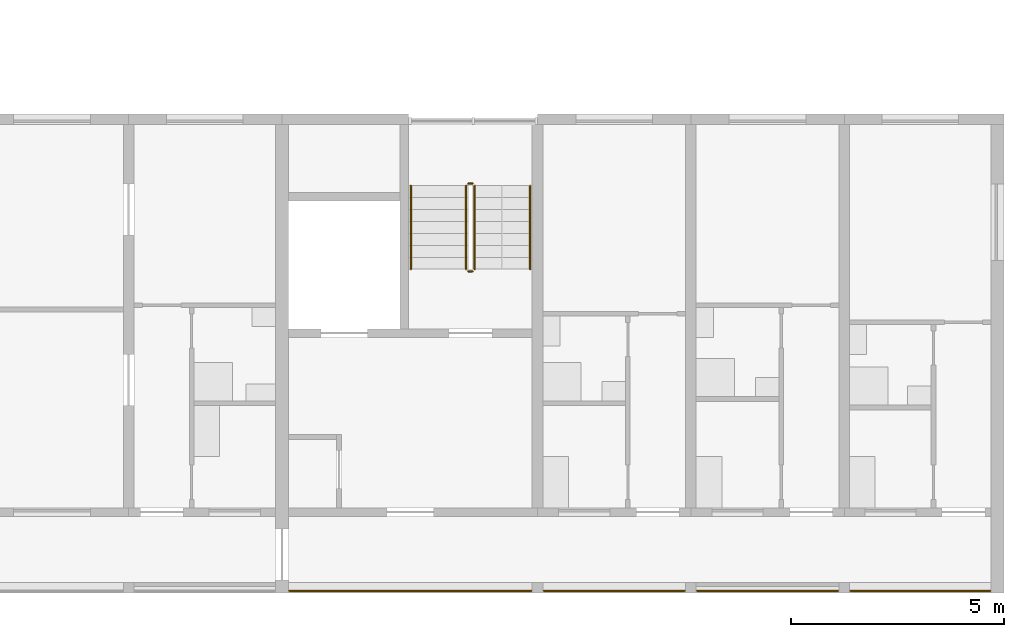
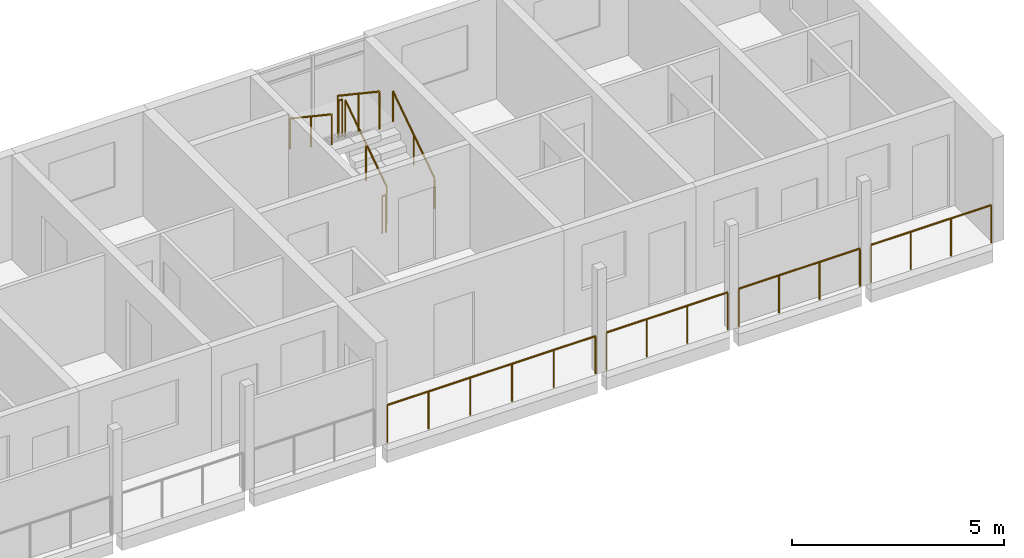
# One storey, part 92 of 98: 10 railings.
"""IFC4 building model written with IfcOpenShell, lengths in metres."""

from ifc_helpers import new_model, si_unit, direction, frame, origin, origin_2d, place, context, subcontext, project, spatial, circle, extrude, material, type_object, element, save


model = new_model("IFC4")

# Units and contexts
model_context = context("Model", 3, precision=1e-05, world=origin(), true_north=direction((0.0, 1.0)))
body_context = subcontext(model_context, "Body", "Model", "MODEL_VIEW")
ifc_project = project(units=[si_unit("LENGTHUNIT", "METRE"), si_unit("AREAUNIT", "SQUARE_METRE"), si_unit("VOLUMEUNIT", "CUBIC_METRE"), si_unit("PLANEANGLEUNIT", "RADIAN"), si_unit("MASSUNIT", "GRAM", prefix="KILO")], contexts=[model_context])

# Site, building, storey
site_placement = place(None, origin())
site = spatial("IfcSite", under=ifc_project, at=site_placement, CompositionType="ELEMENT")
building_placement = place(site_placement, origin())
building = spatial("IfcBuilding", under=site, at=building_placement, Name="Ridgestep Commons", CompositionType="ELEMENT")
storey_placement = place(building_placement, frame((0.0, 0.0, 12.0)))
storey = spatial("IfcBuildingStorey", under=building, at=storey_placement, Name="L04", CompositionType="ELEMENT", Elevation=12.0)

# Railings
ifc_material_1 = material(Name="Structural steel S355JR", Category="steel")
railing_type_1 = type_object("IfcRailingType", Name="Guard 1100", PredefinedType="GUARDRAIL", material=ifc_material_1)
railing_1_placement = place(storey_placement, frame((230.970947265625, 11.800048828125, 0.0)))
element("IfcRailing", 1, at=railing_1_placement, inside=storey, type_object=railing_type_1, Name="Gallery guard D 04.21", PredefinedType="GUARDRAIL", context=body_context, shape_type="SweptSolid", body=[
    extrude(circle(Radius=0.02392578125, at=origin_2d()), frame((0.0, 0.0, 1.076171875), z_axis=(1.0, 0.0, 0.0), x_axis=(0.0, 1.0, 0.0)), (0.0, 0.0, 1.0), 5.68310546875),
    extrude(circle(Radius=0.02099609375, at=origin_2d()), origin(), (0.0, 0.0, 1.0), 1.052001953125),
    extrude(circle(Radius=0.02099609375, at=origin_2d()), frame((1.13671875, 0.0, 0.0)), (0.0, 0.0, 1.0), 1.052001953125),
    extrude(circle(Radius=0.02099609375, at=origin_2d()), frame((2.273193359375, 0.0, 0.0)), (0.0, 0.0, 1.0), 1.052001953125),
    extrude(circle(Radius=0.02099609375, at=origin_2d()), frame((3.409912109375, 0.0, 0.0)), (0.0, 0.0, 1.0), 1.052001953125),
    extrude(circle(Radius=0.02099609375, at=origin_2d()), frame((4.54638671875, 0.0, 0.0)), (0.0, 0.0, 1.0), 1.052001953125),
    extrude(circle(Radius=0.02099609375, at=origin_2d()), frame((5.68310546875, 0.0, 0.0)), (0.0, 0.0, 1.0), 1.052001953125),
])
railing_2_placement = place(storey_placement, frame((236.946044921875, 11.800048828125, 0.0)))
element("IfcRailing", 2, at=railing_2_placement, inside=storey, type_object=railing_type_1, Name="Gallery guard D 04.22", PredefinedType="GUARDRAIL", context=body_context, shape_type="SweptSolid", body=[
    extrude(circle(Radius=0.02392578125, at=origin_2d()), frame((0.0, 0.0, 1.076171875), z_axis=(1.0, 0.0, 0.0), x_axis=(0.0, 1.0, 0.0)), (0.0, 0.0, 1.0), 3.307861328125),
    extrude(circle(Radius=0.02099609375, at=origin_2d()), origin(), (0.0, 0.0, 1.0), 1.052001953125),
    extrude(circle(Radius=0.02099609375, at=origin_2d()), frame((1.1025390625, 0.0, 0.0)), (0.0, 0.0, 1.0), 1.052001953125),
    extrude(circle(Radius=0.02099609375, at=origin_2d()), frame((2.205322265625, 0.0, 0.0)), (0.0, 0.0, 1.0), 1.052001953125),
    extrude(circle(Radius=0.02099609375, at=origin_2d()), frame((3.307861328125, 0.0, 0.0)), (0.0, 0.0, 1.0), 1.052001953125),
])
railing_3_placement = place(storey_placement, frame((240.5458984375, 11.800048828125, 0.0)))
element("IfcRailing", 3, at=railing_3_placement, inside=storey, type_object=railing_type_1, Name="Gallery guard D 04.23", PredefinedType="GUARDRAIL", context=body_context, shape_type="SweptSolid", body=[
    extrude(circle(Radius=0.02392578125, at=origin_2d()), frame((0.0, 0.0, 1.076171875), z_axis=(1.0, 0.0, 0.0), x_axis=(0.0, 1.0, 0.0)), (0.0, 0.0, 1.0), 3.30810546875),
    extrude(circle(Radius=0.02099609375, at=origin_2d()), origin(), (0.0, 0.0, 1.0), 1.052001953125),
    extrude(circle(Radius=0.02099609375, at=origin_2d()), frame((1.102783203125, 0.0, 0.0)), (0.0, 0.0, 1.0), 1.052001953125),
    extrude(circle(Radius=0.02099609375, at=origin_2d()), frame((2.205322265625, 0.0, 0.0)), (0.0, 0.0, 1.0), 1.052001953125),
    extrude(circle(Radius=0.02099609375, at=origin_2d()), frame((3.30810546875, 0.0, 0.0)), (0.0, 0.0, 1.0), 1.052001953125),
])
railing_4_placement = place(storey_placement, frame((244.14599609375, 11.800048828125, 0.0)))
element("IfcRailing", 4, at=railing_4_placement, inside=storey, type_object=railing_type_1, Name="Gallery guard D 04.24", PredefinedType="GUARDRAIL", context=body_context, shape_type="SweptSolid", body=[
    extrude(circle(Radius=0.02392578125, at=origin_2d()), frame((0.0, 0.0, 1.076171875), z_axis=(1.0, 0.0, 0.0), x_axis=(0.0, 1.0, 0.0)), (0.0, 0.0, 1.0), 3.282958984375),
    extrude(circle(Radius=0.02099609375, at=origin_2d()), origin(), (0.0, 0.0, 1.0), 1.052001953125),
    extrude(circle(Radius=0.02099609375, at=origin_2d()), frame((1.09423828125, 0.0, 0.0)), (0.0, 0.0, 1.0), 1.052001953125),
    extrude(circle(Radius=0.02099609375, at=origin_2d()), frame((2.188720703125, 0.0, 0.0)), (0.0, 0.0, 1.0), 1.052001953125),
    extrude(circle(Radius=0.02099609375, at=origin_2d()), frame((3.282958984375, 0.0, 0.0)), (0.0, 0.0, 1.0), 1.052001953125),
])
ifc_material_2 = material(Name="Structural steel S355JR", Category="steel")
railing_type_2 = type_object("IfcRailingType", Name="Stair guard 1100", PredefinedType="GUARDRAIL", material=ifc_material_2)
railing_5_placement = place(storey_placement, frame((235.324951171875, 19.35009765625, 0.1875)))
element("IfcRailing", 5, at=railing_5_placement, inside=storey, type_object=railing_type_2, Name="L04 D6C stair guard 1", PredefinedType="GUARDRAIL", context=body_context, shape_type="SweptSolid", body=[
    extrude(circle(Radius=0.02392578125, at=origin_2d()), frame((0.0, 0.0, 1.076171875), z_axis=(0.0, 0.830902050051, 0.556418712142), x_axis=(-1.0, 0.0, 0.0)), (0.0, 0.0, 1.0), 2.35888671875),
    extrude(circle(Radius=0.02099609375, at=origin_2d()), origin(), (0.0, 0.0, 1.0), 1.052001953125),
    extrude(circle(Radius=0.02099609375, at=origin_2d()), frame((0.0, 0.97998046875, 0.65625)), (0.0, 0.0, 1.0), 1.052001953125),
    extrude(circle(Radius=0.02099609375, at=origin_2d()), frame((0.0, 1.9599609375, 1.3125)), (0.0, 0.0, 1.0), 1.052001953125),
])
railing_6_placement = place(storey_placement, frame((235.27490234375, 21.360107421875, 1.5)))
element("IfcRailing", 6, at=railing_6_placement, inside=storey, type_object=railing_type_2, Name="L04 D6C stair guard 2", PredefinedType="GUARDRAIL", context=body_context, shape_type="SweptSolid", body=[
    extrude(circle(Radius=0.02392578125, at=origin_2d()), frame((0.0, 0.0, 1.076171875), z_axis=(-1.0, 0.0, 0.0), x_axis=(0.0, -1.0, 0.0)), (0.0, 0.0, 1.0), 0.099853515625),
    extrude(circle(Radius=0.02099609375, at=origin_2d()), origin(), (0.0, 0.0, 1.0), 1.052001953125),
    extrude(circle(Radius=0.02099609375, at=origin_2d()), frame((-0.099853515625, 0.0, 0.0)), (0.0, 0.0, 1.0), 1.052001953125),
])
railing_7_placement = place(storey_placement, frame((235.125, 21.31005859375, 1.6875)))
element("IfcRailing", 7, at=railing_7_placement, inside=storey, type_object=railing_type_2, Name="L04 D6C stair guard 3", PredefinedType="GUARDRAIL", context=body_context, shape_type="SweptSolid", body=[
    extrude(circle(Radius=0.02392578125, at=origin_2d()), frame((0.0, 0.0, 1.076171875), z_axis=(0.0, -0.830902050051, 0.556418712142), x_axis=(1.0, 0.0, 0.0)), (0.0, 0.0, 1.0), 2.35888671875),
    extrude(circle(Radius=0.02099609375, at=origin_2d()), origin(), (0.0, 0.0, 1.0), 1.052001953125),
    extrude(circle(Radius=0.02099609375, at=origin_2d()), frame((0.0, -0.97998046875, 0.65625)), (0.0, 0.0, 1.0), 1.052001953125),
    extrude(circle(Radius=0.02099609375, at=origin_2d()), frame((0.0, -1.9599609375, 1.3125)), (0.0, 0.0, 1.0), 1.052001953125),
])
railing_8_placement = place(storey_placement, frame((235.27490234375, 19.300048828125, 0.0)))
element("IfcRailing", 8, at=railing_8_placement, inside=storey, type_object=railing_type_2, Name="L04 D6C stair guard 4", PredefinedType="GUARDRAIL", context=body_context, shape_type="SweptSolid", body=[
    extrude(circle(Radius=0.02392578125, at=origin_2d()), frame((0.0, 0.0, 1.076171875), z_axis=(-1.0, 0.0, 0.0), x_axis=(0.0, -1.0, 0.0)), (0.0, 0.0, 1.0), 0.099853515625),
    extrude(circle(Radius=0.02099609375, at=origin_2d()), origin(), (0.0, 0.0, 1.0), 1.052001953125),
    extrude(circle(Radius=0.02099609375, at=origin_2d()), frame((-0.099853515625, 0.0, 0.0)), (0.0, 0.0, 1.0), 1.052001953125),
])
ifc_material_3 = material(Name="Structural steel S355JR", Category="steel")
railing_type_3 = type_object("IfcRailingType", Name="Stair handrail 900", PredefinedType="HANDRAIL", material=ifc_material_3)
railing_9_placement = place(storey_placement, frame((236.625, 19.35009765625, 0.1875)))
element("IfcRailing", 9, at=railing_9_placement, inside=storey, type_object=railing_type_3, Name="L04 D6C stair handrail 1", PredefinedType="HANDRAIL", context=body_context, shape_type="SweptSolid", body=[
    extrude(circle(Radius=0.02392578125, at=origin_2d()), frame((0.0, 0.0, 0.8759765625), z_axis=(0.0, 0.830902050051, 0.556418712142), x_axis=(-1.0, 0.0, 0.0)), (0.0, 0.0, 1.0), 2.35888671875),
    extrude(circle(Radius=0.02099609375, at=origin_2d()), origin(), (0.0, 0.0, 1.0), 0.851806640625),
    extrude(circle(Radius=0.02099609375, at=origin_2d()), frame((0.0, 0.97998046875, 0.65625)), (0.0, 0.0, 1.0), 0.851806640625),
    extrude(circle(Radius=0.02099609375, at=origin_2d()), frame((0.0, 1.9599609375, 1.3125)), (0.0, 0.0, 1.0), 0.851806640625),
])
railing_10_placement = place(storey_placement, frame((233.824951171875, 21.31005859375, 1.6875)))
element("IfcRailing", 10, at=railing_10_placement, inside=storey, type_object=railing_type_3, Name="L04 D6C stair handrail 2", PredefinedType="HANDRAIL", context=body_context, shape_type="SweptSolid", body=[
    extrude(circle(Radius=0.02392578125, at=origin_2d()), frame((0.0, 0.0, 0.8759765625), z_axis=(0.0, -0.830902050051, 0.556418712142), x_axis=(1.0, 0.0, 0.0)), (0.0, 0.0, 1.0), 2.35888671875),
    extrude(circle(Radius=0.02099609375, at=origin_2d()), origin(), (0.0, 0.0, 1.0), 0.851806640625),
    extrude(circle(Radius=0.02099609375, at=origin_2d()), frame((0.0, -0.97998046875, 0.65625)), (0.0, 0.0, 1.0), 0.851806640625),
    extrude(circle(Radius=0.02099609375, at=origin_2d()), frame((0.0, -1.9599609375, 1.3125)), (0.0, 0.0, 1.0), 0.851806640625),
])

save(model, "model.ifc")
